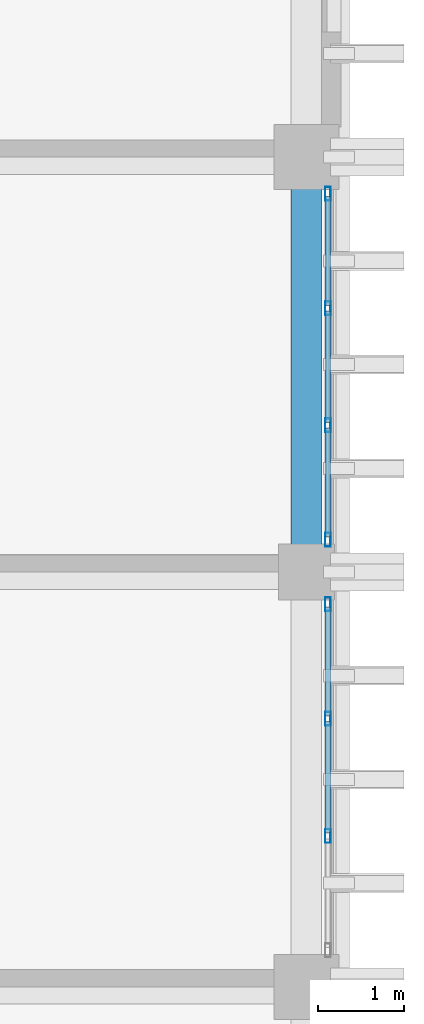
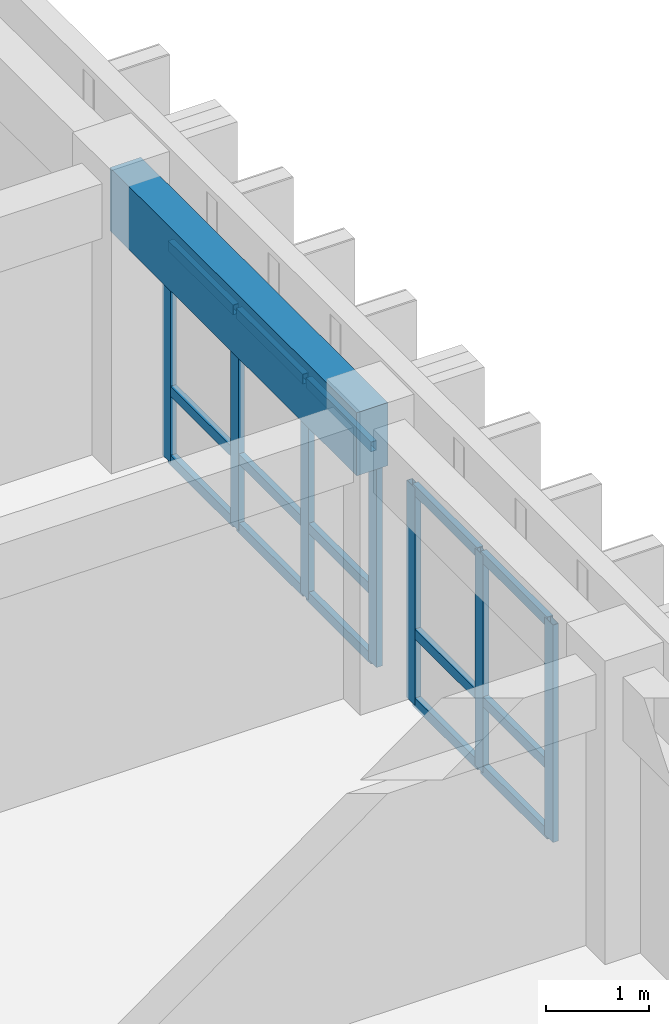
# One storey, part 38 of 64: 22 members, 1 beam, 2 elements without a shape of their own.
"""IFC4 building model written with IfcOpenShell, lengths in metres."""

from ifc_helpers import new_model, si_unit, direction, frame, origin, origin_2d, place, context, subcontext, project, spatial, rectangle, hollow_rectangle, extrude, material, layer, layer_set, material_profile, profile_set, type_object, element, aggregate, save


model = new_model("IFC4")

# Units and contexts
model_context = context("Model", 3, precision=1e-05, world=origin(), true_north=direction((0.0, 1.0)))
body_context = subcontext(model_context, "Body", "Model", "MODEL_VIEW")
ifc_project = project(units=[si_unit("LENGTHUNIT", "METRE"), si_unit("AREAUNIT", "SQUARE_METRE"), si_unit("VOLUMEUNIT", "CUBIC_METRE"), si_unit("PLANEANGLEUNIT", "RADIAN"), si_unit("MASSUNIT", "GRAM", prefix="KILO")], contexts=[model_context])

# Site, building, storey
site_placement = place(None, origin())
site = spatial("IfcSite", under=ifc_project, at=site_placement, CompositionType="ELEMENT")
building_placement = place(site_placement, origin())
building = spatial("IfcBuilding", under=site, at=building_placement, Name="Nakhvara Creek Congress Hotel", CompositionType="ELEMENT")
storey_placement = place(building_placement, frame((0.0, 0.0, 28.199951171875)))
storey = spatial("IfcBuildingStorey", under=building, at=storey_placement, Name="L06", CompositionType="ELEMENT", Elevation=28.199951171875)

# Beam
ifc_material_1 = material(Name="Concrete C40/50", Category="concrete")
ifc_material_profile_1 = material_profile(ifc_material_1, rectangle(XDim=0.35009765625, YDim=0.75, at=origin_2d()), Name="RC-SPANDREL 350x750", Category="LoadBearing")
ifc_profile_set_1 = profile_set([ifc_material_profile_1], Name="Concrete C40/50")
beam_type = type_object("IfcBeamType", Name="BM-SPN-350X750", PredefinedType="SPANDREL", material=ifc_profile_set_1)
beam_placement = place(storey_placement, frame((179.35009765625, 100.800048828125, 2.965087890625), z_axis=(0.0, 1.0, 0.0), x_axis=(-1.0, 0.0, 0.0)))
element("IfcBeam", 1, at=beam_placement, inside=storey, type_object=beam_type, Name="Beam SP1-L06-2288", PredefinedType="SPANDREL", context=body_context, shape_type="SweptSolid", body=[
    extrude(rectangle(XDim=0.35009765625, YDim=0.75, at=origin_2d()), origin(), (0.0, 0.0, 1.0), 4.800048828125),
])

# Curtain wall, members
ifc_material_2 = material(Name="Bronze-anodised aluminium AW-6063-T6 and double-silver low-E glass", Category="aluminium")
ifc_layer = layer(ifc_material_2, 0.199951171875)
ifc_layer_set = layer_set([ifc_layer], Name="Bronze-anodised aluminium AW-6063-T6 and double-silver low-E glass")
curtain_wall_type = type_object("IfcCurtainWallType", Name="CW-HTL-UNIT", PredefinedType="USERDEFINED", material=ifc_layer_set)
curtain_wall_1_placement = place(storey_placement, origin())
curtain_wall_1 = element("IfcCurtainWall", 2, at=curtain_wall_1_placement, inside=storey, type_object=curtain_wall_type, Name="Curtain Wall CW245", ObjectType="UNITISED", PredefinedType="USERDEFINED")
ifc_material_3 = material(Name="Bronze-anodised aluminium AW-6063-T6", Category="aluminium")
ifc_material_profile_2 = material_profile(ifc_material_3, hollow_rectangle(XDim=0.06494140625, YDim=0.159912109375, WallThickness=0.00390625, at=origin_2d()), Name="ALU-MULL 65x160x4", Category="LoadBearing")
ifc_profile_set_2 = profile_set([ifc_material_profile_2], Name="Bronze-anodised aluminium AW-6063-T6")
member_type_1 = type_object("IfcMemberType", Name="CW-MULL-160", PredefinedType="MULLION", material=ifc_profile_set_2)
member_1_placement = place(storey_placement, frame((179.60009765625, 100.427490234375, 0.0), z_axis=(0.0, 0.0, 1.0), x_axis=(1.0, 0.0, 0.0)))
member_1 = element("IfcMember", 3, at=member_1_placement, type_object=member_type_1, Name="CW245 mullion 1", PredefinedType="MULLION", context=body_context, shape_type="SweptSolid", body=[
    extrude(hollow_rectangle(XDim=0.06494140625, YDim=0.159912109375, WallThickness=0.00390625, at=origin_2d()), origin(), (0.0, 0.0, 1.0), 2.58203125),
])
member_2_placement = place(storey_placement, frame((179.60009765625, 99.103271484375, 0.0), z_axis=(0.0, 0.0, 1.0), x_axis=(1.0, 0.0, 0.0)))
member_2 = element("IfcMember", 4, at=member_2_placement, type_object=member_type_1, Name="CW245 mullion 2", PredefinedType="MULLION", context=body_context, shape_type="SweptSolid", body=[
    extrude(hollow_rectangle(XDim=0.06494140625, YDim=0.159912109375, WallThickness=0.00390625, at=origin_2d()), origin(), (0.0, 0.0, 1.0), 2.58203125),
])
member_3_placement = place(storey_placement, frame((179.60009765625, 97.74658203125, 0.0), z_axis=(0.0, 0.0, 1.0), x_axis=(1.0, 0.0, 0.0)))
member_3 = element("IfcMember", 5, at=member_3_placement, type_object=member_type_1, Name="CW245 mullion 3", PredefinedType="MULLION", context=body_context, shape_type="SweptSolid", body=[
    extrude(hollow_rectangle(XDim=0.06494140625, YDim=0.159912109375, WallThickness=0.00390625, at=origin_2d()), origin(), (0.0, 0.0, 1.0), 2.58203125),
])

curtain_wall_2_placement = place(storey_placement, origin())
curtain_wall_2 = element("IfcCurtainWall", 6, at=curtain_wall_2_placement, inside=storey, type_object=curtain_wall_type, Name="Curtain Wall CW247", ObjectType="UNITISED", PredefinedType="USERDEFINED")
member_4_placement = place(storey_placement, frame((179.60009765625, 105.177490234375, 0.0), z_axis=(0.0, 0.0, 1.0), x_axis=(1.0, 0.0, 0.0)))
member_4 = element("IfcMember", 7, at=member_4_placement, type_object=member_type_1, Name="CW247 mullion 1", PredefinedType="MULLION", context=body_context, shape_type="SweptSolid", body=[
    extrude(hollow_rectangle(XDim=0.06494140625, YDim=0.159912109375, WallThickness=0.00390625, at=origin_2d()), origin(), (0.0, 0.0, 1.0), 2.58203125),
])
member_5_placement = place(storey_placement, frame((179.60009765625, 103.853271484375, 0.0), z_axis=(0.0, 0.0, 1.0), x_axis=(1.0, 0.0, 0.0)))
member_5 = element("IfcMember", 8, at=member_5_placement, type_object=member_type_1, Name="CW247 mullion 2", PredefinedType="MULLION", context=body_context, shape_type="SweptSolid", body=[
    extrude(hollow_rectangle(XDim=0.06494140625, YDim=0.159912109375, WallThickness=0.00390625, at=origin_2d()), origin(), (0.0, 0.0, 1.0), 2.58203125),
])
member_6_placement = place(storey_placement, frame((179.60009765625, 102.49658203125, 0.0), z_axis=(0.0, 0.0, 1.0), x_axis=(1.0, 0.0, 0.0)))
member_6 = element("IfcMember", 9, at=member_6_placement, type_object=member_type_1, Name="CW247 mullion 3", PredefinedType="MULLION", context=body_context, shape_type="SweptSolid", body=[
    extrude(hollow_rectangle(XDim=0.06494140625, YDim=0.159912109375, WallThickness=0.00390625, at=origin_2d()), origin(), (0.0, 0.0, 1.0), 2.58203125),
])
member_7_placement = place(storey_placement, frame((179.60009765625, 101.172607421875, 0.0), z_axis=(0.0, 0.0, 1.0), x_axis=(1.0, 0.0, 0.0)))
member_7 = element("IfcMember", 10, at=member_7_placement, type_object=member_type_1, Name="CW247 mullion 4", PredefinedType="MULLION", context=body_context, shape_type="SweptSolid", body=[
    extrude(hollow_rectangle(XDim=0.06494140625, YDim=0.159912109375, WallThickness=0.00390625, at=origin_2d()), origin(), (0.0, 0.0, 1.0), 2.58203125),
])

# Member
ifc_material_profile_3 = material_profile(ifc_material_3, hollow_rectangle(XDim=0.06494140625, YDim=0.1201171875, WallThickness=0.00390625, at=origin_2d()), Name="ALU-TRAN 65x120x4", Category="LoadBearing")
ifc_profile_set_3 = profile_set([ifc_material_profile_3], Name="Bronze-anodised aluminium AW-6063-T6")
member_type_2 = type_object("IfcMemberType", Name="CW-TRAN-120", PredefinedType="USERDEFINED", material=ifc_profile_set_3)
member_8_placement = place(storey_placement, frame((179.60009765625, 100.39501953125, 0.032470703125), z_axis=(0.0, -1.0, 0.0), x_axis=(1.0, 0.0, 0.0)))
member_8 = element("IfcMember", 11, at=member_8_placement, type_object=member_type_2, Name="CW245 transom 1.1", ObjectType="TRANSOM", PredefinedType="USERDEFINED", context=body_context, shape_type="SweptSolid", body=[
    extrude(hollow_rectangle(XDim=0.06494140625, YDim=0.1201171875, WallThickness=0.00390625, at=origin_2d()), origin(), (0.0, 0.0, 1.0), 1.25927734375),
])

member_9_placement = place(storey_placement, frame((179.60009765625, 100.39501953125, 0.85009765625), z_axis=(0.0, -1.0, 0.0), x_axis=(1.0, 0.0, 0.0)))
member_9 = element("IfcMember", 12, at=member_9_placement, type_object=member_type_2, Name="CW245 transom 1.2", ObjectType="TRANSOM", PredefinedType="USERDEFINED", context=body_context, shape_type="SweptSolid", body=[
    extrude(hollow_rectangle(XDim=0.06494140625, YDim=0.1201171875, WallThickness=0.00390625, at=origin_2d()), origin(), (0.0, 0.0, 1.0), 1.25927734375),
])

member_10_placement = place(storey_placement, frame((179.60009765625, 100.39501953125, 2.549560546875), z_axis=(0.0, -1.0, 0.0), x_axis=(1.0, 0.0, 0.0)))
member_10 = element("IfcMember", 13, at=member_10_placement, type_object=member_type_2, Name="CW245 transom 1.3", ObjectType="TRANSOM", PredefinedType="USERDEFINED", context=body_context, shape_type="SweptSolid", body=[
    extrude(hollow_rectangle(XDim=0.06494140625, YDim=0.1201171875, WallThickness=0.00390625, at=origin_2d()), origin(), (0.0, 0.0, 1.0), 1.25927734375),
])

member_11_placement = place(storey_placement, frame((179.60009765625, 99.07080078125, 0.032470703125), z_axis=(0.0, -1.0, 0.0), x_axis=(1.0, 0.0, 0.0)))
member_11 = element("IfcMember", 14, at=member_11_placement, type_object=member_type_2, Name="CW245 transom 2.1", ObjectType="TRANSOM", PredefinedType="USERDEFINED", context=body_context, shape_type="SweptSolid", body=[
    extrude(hollow_rectangle(XDim=0.06494140625, YDim=0.1201171875, WallThickness=0.00390625, at=origin_2d()), origin(), (0.0, 0.0, 1.0), 1.291748046875),
])

member_12_placement = place(storey_placement, frame((179.60009765625, 99.07080078125, 0.85009765625), z_axis=(0.0, -1.0, 0.0), x_axis=(1.0, 0.0, 0.0)))
member_12 = element("IfcMember", 15, at=member_12_placement, type_object=member_type_2, Name="CW245 transom 2.2", ObjectType="TRANSOM", PredefinedType="USERDEFINED", context=body_context, shape_type="SweptSolid", body=[
    extrude(hollow_rectangle(XDim=0.06494140625, YDim=0.1201171875, WallThickness=0.00390625, at=origin_2d()), origin(), (0.0, 0.0, 1.0), 1.291748046875),
])

member_13_placement = place(storey_placement, frame((179.60009765625, 99.07080078125, 2.549560546875), z_axis=(0.0, -1.0, 0.0), x_axis=(1.0, 0.0, 0.0)))
member_13 = element("IfcMember", 16, at=member_13_placement, type_object=member_type_2, Name="CW245 transom 2.3", ObjectType="TRANSOM", PredefinedType="USERDEFINED", context=body_context, shape_type="SweptSolid", body=[
    extrude(hollow_rectangle(XDim=0.06494140625, YDim=0.1201171875, WallThickness=0.00390625, at=origin_2d()), origin(), (0.0, 0.0, 1.0), 1.291748046875),
])

aggregate(curtain_wall_1, [member_1, member_2, member_3, member_8, member_9, member_10, member_11, member_12, member_13])

member_14_placement = place(storey_placement, frame((179.60009765625, 105.14501953125, 0.032470703125), z_axis=(0.0, -1.0, 0.0), x_axis=(1.0, 0.0, 0.0)))
member_14 = element("IfcMember", 17, at=member_14_placement, type_object=member_type_2, Name="CW247 transom 1.1", ObjectType="TRANSOM", PredefinedType="USERDEFINED", context=body_context, shape_type="SweptSolid", body=[
    extrude(hollow_rectangle(XDim=0.06494140625, YDim=0.1201171875, WallThickness=0.00390625, at=origin_2d()), origin(), (0.0, 0.0, 1.0), 1.25927734375),
])

member_15_placement = place(storey_placement, frame((179.60009765625, 105.14501953125, 0.85009765625), z_axis=(0.0, -1.0, 0.0), x_axis=(1.0, 0.0, 0.0)))
member_15 = element("IfcMember", 18, at=member_15_placement, type_object=member_type_2, Name="CW247 transom 1.2", ObjectType="TRANSOM", PredefinedType="USERDEFINED", context=body_context, shape_type="SweptSolid", body=[
    extrude(hollow_rectangle(XDim=0.06494140625, YDim=0.1201171875, WallThickness=0.00390625, at=origin_2d()), origin(), (0.0, 0.0, 1.0), 1.25927734375),
])

member_16_placement = place(storey_placement, frame((179.60009765625, 105.14501953125, 2.549560546875), z_axis=(0.0, -1.0, 0.0), x_axis=(1.0, 0.0, 0.0)))
member_16 = element("IfcMember", 19, at=member_16_placement, type_object=member_type_2, Name="CW247 transom 1.3", ObjectType="TRANSOM", PredefinedType="USERDEFINED", context=body_context, shape_type="SweptSolid", body=[
    extrude(hollow_rectangle(XDim=0.06494140625, YDim=0.1201171875, WallThickness=0.00390625, at=origin_2d()), origin(), (0.0, 0.0, 1.0), 1.25927734375),
])

member_17_placement = place(storey_placement, frame((179.60009765625, 103.82080078125, 0.032470703125), z_axis=(0.0, -1.0, 0.0), x_axis=(1.0, 0.0, 0.0)))
member_17 = element("IfcMember", 20, at=member_17_placement, type_object=member_type_2, Name="CW247 transom 2.1", ObjectType="TRANSOM", PredefinedType="USERDEFINED", context=body_context, shape_type="SweptSolid", body=[
    extrude(hollow_rectangle(XDim=0.06494140625, YDim=0.1201171875, WallThickness=0.00390625, at=origin_2d()), origin(), (0.0, 0.0, 1.0), 1.291748046875),
])

member_18_placement = place(storey_placement, frame((179.60009765625, 103.82080078125, 0.85009765625), z_axis=(0.0, -1.0, 0.0), x_axis=(1.0, 0.0, 0.0)))
member_18 = element("IfcMember", 21, at=member_18_placement, type_object=member_type_2, Name="CW247 transom 2.2", ObjectType="TRANSOM", PredefinedType="USERDEFINED", context=body_context, shape_type="SweptSolid", body=[
    extrude(hollow_rectangle(XDim=0.06494140625, YDim=0.1201171875, WallThickness=0.00390625, at=origin_2d()), origin(), (0.0, 0.0, 1.0), 1.291748046875),
])

member_19_placement = place(storey_placement, frame((179.60009765625, 103.82080078125, 2.549560546875), z_axis=(0.0, -1.0, 0.0), x_axis=(1.0, 0.0, 0.0)))
member_19 = element("IfcMember", 22, at=member_19_placement, type_object=member_type_2, Name="CW247 transom 2.3", ObjectType="TRANSOM", PredefinedType="USERDEFINED", context=body_context, shape_type="SweptSolid", body=[
    extrude(hollow_rectangle(XDim=0.06494140625, YDim=0.1201171875, WallThickness=0.00390625, at=origin_2d()), origin(), (0.0, 0.0, 1.0), 1.291748046875),
])

member_20_placement = place(storey_placement, frame((179.60009765625, 102.464111328125, 0.032470703125), z_axis=(0.0, -1.0, 0.0), x_axis=(1.0, 0.0, 0.0)))
member_20 = element("IfcMember", 23, at=member_20_placement, type_object=member_type_2, Name="CW247 transom 3.1", ObjectType="TRANSOM", PredefinedType="USERDEFINED", context=body_context, shape_type="SweptSolid", body=[
    extrude(hollow_rectangle(XDim=0.06494140625, YDim=0.1201171875, WallThickness=0.00390625, at=origin_2d()), origin(), (0.0, 0.0, 1.0), 1.259033203125),
])

member_21_placement = place(storey_placement, frame((179.60009765625, 102.464111328125, 0.85009765625), z_axis=(0.0, -1.0, 0.0), x_axis=(1.0, 0.0, 0.0)))
member_21 = element("IfcMember", 24, at=member_21_placement, type_object=member_type_2, Name="CW247 transom 3.2", ObjectType="TRANSOM", PredefinedType="USERDEFINED", context=body_context, shape_type="SweptSolid", body=[
    extrude(hollow_rectangle(XDim=0.06494140625, YDim=0.1201171875, WallThickness=0.00390625, at=origin_2d()), origin(), (0.0, 0.0, 1.0), 1.259033203125),
])

member_22_placement = place(storey_placement, frame((179.60009765625, 102.464111328125, 2.549560546875), z_axis=(0.0, -1.0, 0.0), x_axis=(1.0, 0.0, 0.0)))
member_22 = element("IfcMember", 25, at=member_22_placement, type_object=member_type_2, Name="CW247 transom 3.3", ObjectType="TRANSOM", PredefinedType="USERDEFINED", context=body_context, shape_type="SweptSolid", body=[
    extrude(hollow_rectangle(XDim=0.06494140625, YDim=0.1201171875, WallThickness=0.00390625, at=origin_2d()), origin(), (0.0, 0.0, 1.0), 1.259033203125),
])

aggregate(curtain_wall_2, [member_4, member_5, member_6, member_7, member_14, member_15, member_16, member_17, member_18, member_19, member_20, member_21, member_22])

save(model, "model.ifc")
